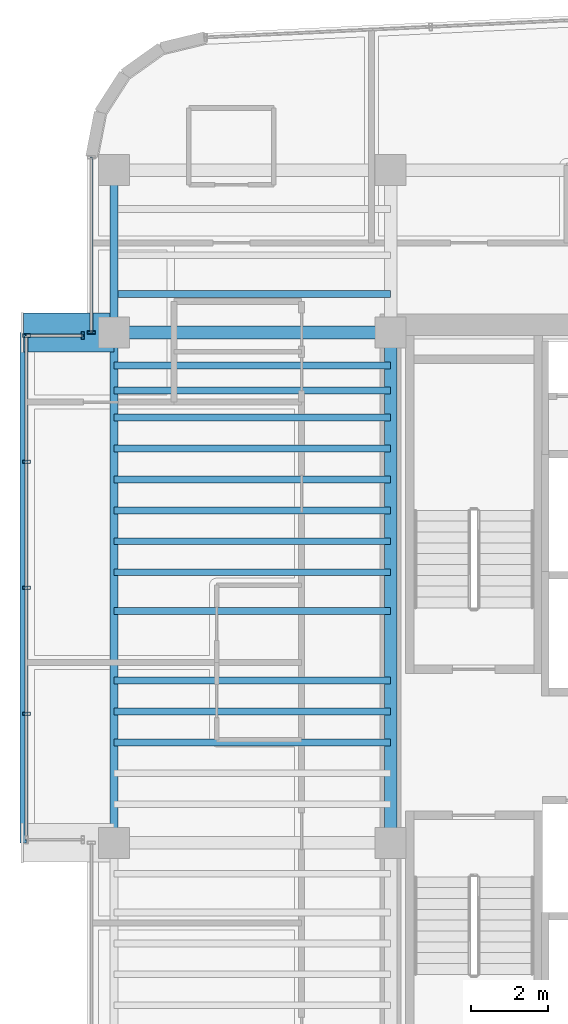
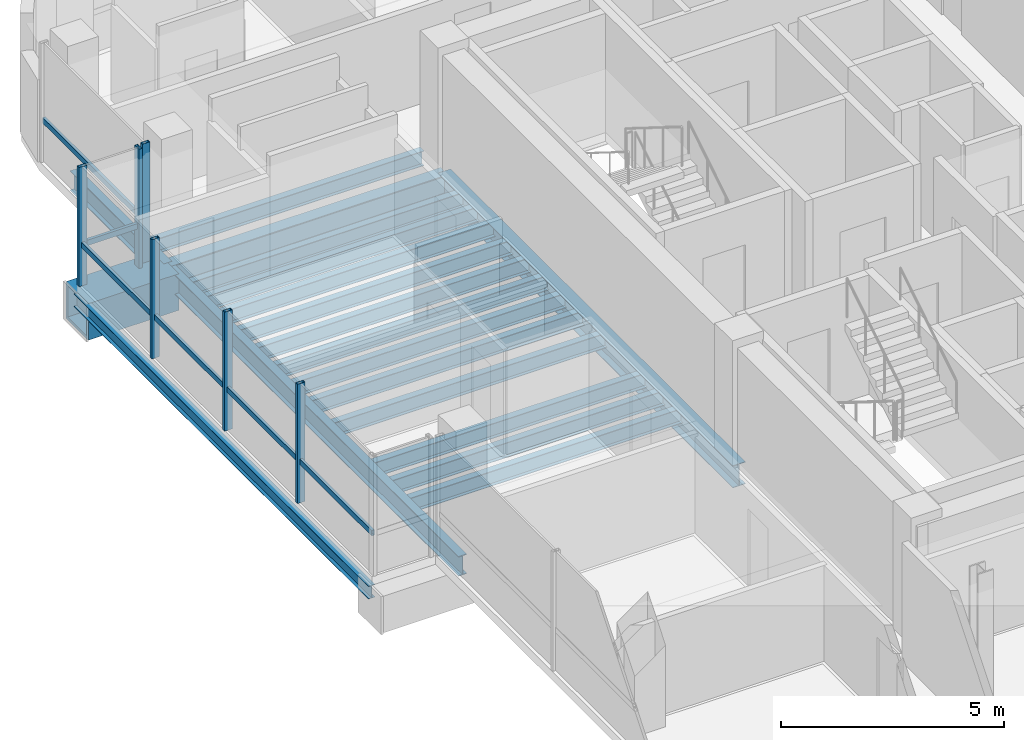
# One storey, part 6 of 20: 19 beams, 9 members, 3 elements without a shape of their own.
"""IFC4 building model written with IfcOpenShell, lengths in metres."""

from ifc_helpers import new_model, si_unit, direction, frame, origin, origin_2d, place, context, subcontext, project, spatial, hollow_rectangle, i_section, extrude, source, transform, mapped, material, material_profile, profile_set, type_object, element, aggregate, save


model = new_model("IFC4")

# Units and contexts
model_context = context("Model", 3, precision=1e-05, world=origin(), true_north=direction((0.0, 1.0)))
body_context = subcontext(model_context, "Body", "Model", "MODEL_VIEW")
ifc_project = project(units=[si_unit("LENGTHUNIT", "METRE"), si_unit("AREAUNIT", "SQUARE_METRE"), si_unit("VOLUMEUNIT", "CUBIC_METRE"), si_unit("PLANEANGLEUNIT", "RADIAN"), si_unit("MASSUNIT", "GRAM", prefix="KILO")], contexts=[model_context])

# Site, building, storey
site_placement = place(None, origin())
site = spatial("IfcSite", under=ifc_project, at=site_placement, CompositionType="ELEMENT")
building_placement = place(site_placement, origin())
building = spatial("IfcBuilding", under=site, at=building_placement, Name="Valdorenza Pilgrim Sanctuary Tower", CompositionType="ELEMENT")
storey_placement = place(building_placement, frame((0.0, 0.0, 280.0)))
storey = spatial("IfcBuildingStorey", under=building, at=storey_placement, Name="L73", CompositionType="ELEMENT", Elevation=280.0)

# Beams
ifc_material_1 = material(Name="Steel ASTM A992 Grade 50", Category="steel")
ifc_material_profile_1 = material_profile(ifc_material_1, i_section(OverallWidth=0.323974609375, OverallDepth=0.611083984375, WebThickness=0.0126953125, FlangeThickness=0.01904296875, at=origin_2d()), Name="W24X104")
ifc_profile_set_1 = profile_set([ifc_material_profile_1], Name="Steel ASTM A992 Grade 50")
beam_type_1 = type_object("IfcBeamType", Name="STR-BM-GRD-W24B", PredefinedType="BEAM", material=ifc_profile_set_1)
shared_shape_1 = source(origin(), body_context, "Body", "SweptSolid", [
    extrude(i_section(OverallWidth=0.323974609375, OverallDepth=0.611083984375, WebThickness=0.0126953125, FlangeThickness=0.01904296875, at=origin_2d()), origin(), (0.0, 0.0, 1.0), 13.2001953125),
])
beam_1_placement = place(storey_placement, frame((-22.64990234375, -2.60009765625, -0.54541015625), z_axis=(0.0, 1.0, 0.0), x_axis=(-1.0, 0.0, 0.0)))
element("IfcBeam", 1, at=beam_1_placement, inside=storey, type_object=beam_type_1, Name="L73 Core Tie Girder CA-W-M0N1", PredefinedType="BEAM", context=body_context, shape_type="MappedRepresentation", body=[
    mapped(shared_shape_1, transform((0.0, 0.0, 0.0), x_axis=(1.0, 0.0, 0.0), y_axis=(0.0, 1.0, 0.0), z_axis=(0.0, 0.0, 1.0), scale=1.0)),
])
ifc_material_profile_2 = material_profile(ifc_material_1, i_section(OverallWidth=0.1708984375, OverallDepth=0.35107421875, WebThickness=0.0068359375, FlangeThickness=0.009765625, at=origin_2d()), Name="W14X30")
ifc_profile_set_2 = profile_set([ifc_material_profile_2], Name="Steel ASTM A992 Grade 50")
beam_type_2 = type_object("IfcBeamType", Name="STR-BM-BOX-W14", PredefinedType="BEAM", material=ifc_profile_set_2)
shared_shape_2 = source(origin(), body_context, "Body", "SweptSolid", [
    extrude(i_section(OverallWidth=0.1708984375, OverallDepth=0.35107421875, WebThickness=0.0068359375, FlangeThickness=0.009765625, at=origin_2d()), origin(), (0.0, 0.0, 1.0), 13.2001953125),
])
beam_2_placement = place(storey_placement, frame((-32.14990234375, -2.60009765625, -0.41552734375), z_axis=(0.0, 1.0, 0.0), x_axis=(-1.0, 0.0, 0.0)))
element("IfcBeam", 2, at=beam_2_placement, inside=storey, type_object=beam_type_2, Name="L73 Glass Box Edge Beam BOX-WA-L73-F", PredefinedType="BEAM", context=body_context, shape_type="MappedRepresentation", body=[
    mapped(shared_shape_2, transform((0.0, 0.0, 0.0), x_axis=(1.0, 0.0, 0.0), y_axis=(0.0, 1.0, 0.0), z_axis=(0.0, 0.0, 1.0), scale=1.0)),
])
ifc_material_profile_3 = material_profile(ifc_material_1, i_section(OverallWidth=0.2109375, OverallDepth=0.5390625, WebThickness=0.01171875, FlangeThickness=0.018798828125, at=origin_2d()), Name="W21X73")
ifc_profile_set_3 = profile_set([ifc_material_profile_3], Name="Steel ASTM A992 Grade 50")
beam_type_3 = type_object("IfcBeamType", Name="STR-BM-SPN-W21B", PredefinedType="SPANDREL", material=ifc_profile_set_3)
shared_shape_3 = source(origin(), body_context, "Body", "SweptSolid", [
    extrude(i_section(OverallWidth=0.2109375, OverallDepth=0.5390625, WebThickness=0.01171875, FlangeThickness=0.018798828125, at=origin_2d()), origin(), (0.0, 0.0, 1.0), 13.2001953125),
])
beam_3_placement = place(storey_placement, frame((-29.800048828125, -2.60009765625, -0.509521484375), z_axis=(0.0, 1.0, 0.0), x_axis=(-1.0, 0.0, 0.0)))
element("IfcBeam", 3, at=beam_3_placement, inside=storey, type_object=beam_type_3, Name="L73 Spandrel Beam WA-W-M0N1", PredefinedType="SPANDREL", context=body_context, shape_type="MappedRepresentation", body=[
    mapped(shared_shape_3, transform((0.0, 0.0, 0.0), x_axis=(1.0, 0.0, 0.0), y_axis=(0.0, 1.0, 0.0), z_axis=(0.0, 0.0, 1.0), scale=1.0)),
])
shared_shape_4 = source(origin(), body_context, "Body", "SweptSolid", [
    extrude(i_section(OverallWidth=0.2109375, OverallDepth=0.5390625, WebThickness=0.01171875, FlangeThickness=0.018798828125, at=origin_2d()), origin(), (0.0, 0.0, 1.0), 4.199951171875),
])
beam_4_placement = place(storey_placement, frame((-29.800048828125, 10.60009765625, -0.509521484375), z_axis=(0.0, 1.0, 0.0), x_axis=(-1.0, 0.0, 0.0)))
element("IfcBeam", 4, at=beam_4_placement, inside=storey, type_object=beam_type_3, Name="L73 Spandrel Beam WA-W-N1N2", PredefinedType="SPANDREL", context=body_context, shape_type="MappedRepresentation", body=[
    mapped(shared_shape_4, transform((0.0, 0.0, 0.0), x_axis=(1.0, 0.0, 0.0), y_axis=(0.0, 1.0, 0.0), z_axis=(0.0, 0.0, 1.0), scale=1.0)),
])
ifc_material_profile_4 = material_profile(ifc_material_1, i_section(OverallWidth=0.177978515625, OverallDepth=0.406005859375, WebThickness=0.0078125, FlangeThickness=0.0126953125, at=origin_2d()), Name="W16X40")
ifc_profile_set_4 = profile_set([ifc_material_profile_4], Name="Steel ASTM A992 Grade 50")
beam_type_4 = type_object("IfcBeamType", Name="STR-BM-JST-W16", PredefinedType="JOIST", material=ifc_profile_set_4)
shared_shape_5 = source(origin(), body_context, "Body", "SweptSolid", [
    extrude(i_section(OverallWidth=0.177978515625, OverallDepth=0.406005859375, WebThickness=0.0078125, FlangeThickness=0.0126953125, at=origin_2d()), origin(), (0.0, 0.0, 1.0), 7.150146484375),
])
for number, where, z_axis, x_axis, name in (
    (5, (-29.800048828125, 0.0, -0.443115234375), (1.0, 0.0, 0.0), (0.0, 1.0, 0.0), "L73 Composite Floor Joist JST-WA-12"),
    (6, (-29.800048828125, 0.800048828125, -0.443115234375), (1.0, 0.0, 0.0), (0.0, 1.0, 0.0), "L73 Composite Floor Joist JST-WA-13"),
    (7, (-29.800048828125, 1.60009765625, -0.443115234375), (1.0, 0.0, 0.0), (0.0, 1.0, 0.0), "L73 Composite Floor Joist JST-WA-14"),
    (8, (-29.800048828125, 3.39990234375, -0.443115234375), (1.0, 0.0, 0.0), (0.0, 1.0, 0.0), "L73 Composite Floor Joist JST-WA-15"),
    (9, (-29.800048828125, 4.39990234375, -0.443115234375), (1.0, 0.0, 0.0), (0.0, 1.0, 0.0), "L73 Composite Floor Joist JST-WA-16"),
    (10, (-29.800048828125, 5.199951171875, -0.443115234375), (1.0, 0.0, 0.0), (0.0, 1.0, 0.0), "L73 Composite Floor Joist JST-WA-17"),
    (11, (-29.800048828125, 6.0, -0.443115234375), (1.0, 0.0, 0.0), (0.0, 1.0, 0.0), "L73 Composite Floor Joist JST-WA-18"),
    (12, (-29.800048828125, 6.800048828125, -0.443115234375), (1.0, 0.0, 0.0), (0.0, 1.0, 0.0), "L73 Composite Floor Joist JST-WA-19"),
    (13, (-29.800048828125, 7.60009765625, -0.443115234375), (1.0, 0.0, 0.0), (0.0, 1.0, 0.0), "L73 Composite Floor Joist JST-WA-20"),
    (14, (-29.800048828125, 8.39990234375, -0.443115234375), (1.0, 0.0, 0.0), (0.0, 1.0, 0.0), "L73 Composite Floor Joist JST-WA-21"),
    (15, (-29.800048828125, 9.10009765625, -0.443115234375), (1.0, 0.0, 0.0), (0.0, 1.0, 0.0), "L73 Composite Floor Joist JST-WA-22"),
    (16, (-29.800048828125, 9.75, -0.443115234375), (1.0, 0.0, 0.0), (0.0, 1.0, 0.0), "L73 Composite Floor Joist JST-WA-23"),
    (17, (-29.800048828125, 11.60009765625, -0.443115234375), (1.0, 0.0, 0.0), (0.0, 1.0, 0.0), "L73 Composite Floor Joist JST-WA-24"),
):
    element("IfcBeam", number, at=place(storey_placement, frame(where, z_axis=z_axis, x_axis=x_axis)), inside=storey, type_object=beam_type_4, Name=name, PredefinedType="JOIST", context=body_context, shape_type="MappedRepresentation", body=[
        mapped(shared_shape_5, transform((0.0, 0.0, 0.0), x_axis=(1.0, 0.0, 0.0), y_axis=(0.0, 1.0, 0.0), z_axis=(0.0, 0.0, 1.0), scale=1.0)),
    ])
ifc_material_2 = material(Name="Steel ASTM A572 Grade 42", Category="steel")
ifc_material_profile_5 = material_profile(ifc_material_2, hollow_rectangle(XDim=1.0, YDim=1.0, WallThickness=0.080078125, at=origin_2d()), Name="BOX 1000x1000x80")
ifc_profile_set_5 = profile_set([ifc_material_profile_5], Name="Steel ASTM A572 Grade 42")
beam_type_5 = type_object("IfcBeamType", Name="STR-BM-PROW-CANT", PredefinedType="BEAM", material=ifc_profile_set_5)
shared_shape_6 = source(origin(), body_context, "Body", "SweptSolid", [
    extrude(hollow_rectangle(XDim=1.0, YDim=1.0, WallThickness=0.080078125, at=origin_2d()), origin(), (0.0, 0.0, 1.0), 2.349853515625),
])
beam_5_placement = place(storey_placement, frame((-29.800048828125, 10.60009765625, -0.739990234375), z_axis=(-1.0, 0.0, 0.0), x_axis=(0.0, -1.0, 0.0)))
element("IfcBeam", 18, at=beam_5_placement, inside=storey, type_object=beam_type_5, Name="L73 Glass Box Cantilever Beam BOX-WA-L73-CT-N", PredefinedType="BEAM", context=body_context, shape_type="MappedRepresentation", body=[
    mapped(shared_shape_6, transform((0.0, 0.0, 0.0), x_axis=(1.0, 0.0, 0.0), y_axis=(0.0, 1.0, 0.0), z_axis=(0.0, 0.0, 1.0), scale=1.0)),
])
ifc_material_profile_6 = material_profile(ifc_material_1, i_section(OverallWidth=0.326904296875, OverallDepth=0.6220703125, WebThickness=0.015380859375, FlangeThickness=0.0244140625, at=origin_2d()), Name="W24X131")
ifc_profile_set_6 = profile_set([ifc_material_profile_6], Name="Steel ASTM A992 Grade 50")
beam_type_6 = type_object("IfcBeamType", Name="STR-BM-GRD-W24A", PredefinedType="BEAM", material=ifc_profile_set_6)
shared_shape_7 = source(origin(), body_context, "Body", "SweptSolid", [
    extrude(i_section(OverallWidth=0.326904296875, OverallDepth=0.6220703125, WebThickness=0.015380859375, FlangeThickness=0.0244140625, at=origin_2d()), origin(), (0.0, 0.0, 1.0), 7.150146484375),
])
beam_6_placement = place(storey_placement, frame((-29.800048828125, 10.60009765625, -0.551025390625), z_axis=(1.0, 0.0, 0.0), x_axis=(0.0, 1.0, 0.0)))
element("IfcBeam", 19, at=beam_6_placement, inside=storey, type_object=beam_type_6, Name="L73 Floor Girder WA-XW-N1", PredefinedType="BEAM", context=body_context, shape_type="MappedRepresentation", body=[
    mapped(shared_shape_7, transform((0.0, 0.0, 0.0), x_axis=(1.0, 0.0, 0.0), y_axis=(0.0, 1.0, 0.0), z_axis=(0.0, 0.0, 1.0), scale=1.0)),
])

# Curtain wall, member
ifc_material_3 = material(Name="Curtain-wall IGU glazing", Category="glass")
curtain_wall_type = type_object("IfcCurtainWallType", Name="CW-SYS-02", PredefinedType="NOTDEFINED", material=ifc_material_3)
curtain_wall_1_placement = place(storey_placement, origin())
curtain_wall_1 = element("IfcCurtainWall", 20, at=curtain_wall_1_placement, inside=storey, type_object=curtain_wall_type, Name="L73 Curtain Wall CW-L73-BOX-WA-L73-N", PredefinedType="NOTDEFINED")
ifc_material_4 = material(Name="Anodised aluminium AW-6060", Category="aluminium")
ifc_material_profile_7 = material_profile(ifc_material_4, hollow_rectangle(XDim=0.074951171875, YDim=0.14990234375, WallThickness=0.00390625, at=origin_2d()), Name="ALU-T 150x75x4")
ifc_profile_set_7 = profile_set([ifc_material_profile_7], Name="Anodised aluminium AW-6060")
member_type_1 = type_object("IfcMemberType", Name="CW-TRN-02", PredefinedType="USERDEFINED", material=ifc_profile_set_7)
shared_shape_8 = source(origin(), body_context, "Body", "SweptSolid", [
    extrude(hollow_rectangle(XDim=0.074951171875, YDim=0.14990234375, WallThickness=0.00390625, at=origin_2d()), origin(), (0.0, 0.0, 1.0), 1.4599609375),
])
member_1_placement = place(storey_placement, frame((-32.070068359375, 10.52001953125, 1.1201171875), z_axis=(1.0, 0.0, 0.0), x_axis=(0.0, 1.0, 0.0)))
member_1 = element("IfcMember", 21, at=member_1_placement, type_object=member_type_1, Name="CW-L73-BOX-WA-L73-N Transom 1", ObjectType="TRANSOM", PredefinedType="USERDEFINED", context=body_context, shape_type="MappedRepresentation", body=[
    mapped(shared_shape_8, transform((0.0, 0.0, 0.0), x_axis=(1.0, 0.0, 0.0), y_axis=(0.0, 1.0, 0.0), z_axis=(0.0, 0.0, 1.0), scale=1.0)),
])

curtain_wall_2_placement = place(storey_placement, origin())
curtain_wall_2 = element("IfcCurtainWall", 22, at=curtain_wall_2_placement, inside=storey, type_object=curtain_wall_type, Name="L73 Curtain Wall CW-L73-BOX-WA-L73-F", PredefinedType="NOTDEFINED")
shared_shape_9 = source(origin(), body_context, "Body", "SweptSolid", [
    extrude(hollow_rectangle(XDim=0.074951171875, YDim=0.14990234375, WallThickness=0.00390625, at=origin_2d()), origin(), (0.0, 0.0, 1.0), 13.0400390625),
])
member_2_placement = place(storey_placement, frame((-32.070068359375, -2.52001953125, 1.1201171875), z_axis=(0.0, 1.0, 0.0), x_axis=(-1.0, 0.0, 0.0)))
member_2 = element("IfcMember", 23, at=member_2_placement, type_object=member_type_1, Name="CW-L73-BOX-WA-L73-F Transom 1", ObjectType="TRANSOM", PredefinedType="USERDEFINED", context=body_context, shape_type="MappedRepresentation", body=[
    mapped(shared_shape_9, transform((0.0, 0.0, 0.0), x_axis=(1.0, 0.0, 0.0), y_axis=(0.0, 1.0, 0.0), z_axis=(0.0, 0.0, 1.0), scale=1.0)),
])

curtain_wall_3_placement = place(storey_placement, origin())
curtain_wall_3 = element("IfcCurtainWall", 24, at=curtain_wall_3_placement, inside=storey, type_object=curtain_wall_type, Name="L73 Curtain Wall CW-L73-1-1S2", PredefinedType="NOTDEFINED")
ifc_material_profile_8 = material_profile(ifc_material_4, hollow_rectangle(XDim=0.0849609375, YDim=0.199951171875, WallThickness=0.0048828125, at=origin_2d()), Name="ALU-M 200x85x5")
ifc_profile_set_8 = profile_set([ifc_material_profile_8], Name="Anodised aluminium AW-6060")
member_type_2 = type_object("IfcMemberType", Name="CW-MUL-02", PredefinedType="MULLION", material=ifc_profile_set_8)
shared_shape_10 = source(origin(), body_context, "Body", "SweptSolid", [
    extrude(hollow_rectangle(XDim=0.0849609375, YDim=0.199951171875, WallThickness=0.0048828125, at=origin_2d()), origin(), (0.0, 0.0, 1.0), 3.260009765625),
])
member_3_placement = place(storey_placement, frame((-30.389892578125, 10.60009765625, 0.0), z_axis=(0.0, 0.0, 1.0), x_axis=(0.0, 1.0, 0.0)))
member_3 = element("IfcMember", 25, at=member_3_placement, type_object=member_type_2, Name="CW-L73-1-1S2 Mullion 1", PredefinedType="MULLION", context=body_context, shape_type="MappedRepresentation", body=[
    mapped(shared_shape_10, transform((0.0, 0.0, 0.0), x_axis=(1.0, 0.0, 0.0), y_axis=(0.0, 1.0, 0.0), z_axis=(0.0, 0.0, 1.0), scale=1.0)),
])

# Member
member_4_placement = place(storey_placement, frame((-32.070068359375, 0.739990234375, 0.0), z_axis=(0.0, 0.0, 1.0), x_axis=(0.0, 1.0, 0.0)))
member_4 = element("IfcMember", 26, at=member_4_placement, type_object=member_type_2, Name="CW-L73-BOX-WA-L73-F Mullion 2", PredefinedType="MULLION", context=body_context, shape_type="MappedRepresentation", body=[
    mapped(shared_shape_10, transform((0.0, 0.0, 0.0), x_axis=(1.0, 0.0, 0.0), y_axis=(0.0, 1.0, 0.0), z_axis=(0.0, 0.0, 1.0), scale=1.0)),
])

member_5_placement = place(storey_placement, frame((-32.070068359375, 4.0, 0.0), z_axis=(0.0, 0.0, 1.0), x_axis=(0.0, 1.0, 0.0)))
member_5 = element("IfcMember", 27, at=member_5_placement, type_object=member_type_2, Name="CW-L73-BOX-WA-L73-F Mullion 3", PredefinedType="MULLION", context=body_context, shape_type="MappedRepresentation", body=[
    mapped(shared_shape_10, transform((0.0, 0.0, 0.0), x_axis=(1.0, 0.0, 0.0), y_axis=(0.0, 1.0, 0.0), z_axis=(0.0, 0.0, 1.0), scale=1.0)),
])

member_6_placement = place(storey_placement, frame((-32.070068359375, 7.260009765625, 0.0), z_axis=(0.0, 0.0, 1.0), x_axis=(0.0, 1.0, 0.0)))
member_6 = element("IfcMember", 28, at=member_6_placement, type_object=member_type_2, Name="CW-L73-BOX-WA-L73-F Mullion 4", PredefinedType="MULLION", context=body_context, shape_type="MappedRepresentation", body=[
    mapped(shared_shape_10, transform((0.0, 0.0, 0.0), x_axis=(1.0, 0.0, 0.0), y_axis=(0.0, 1.0, 0.0), z_axis=(0.0, 0.0, 1.0), scale=1.0)),
])

member_7_placement = place(storey_placement, frame((-32.070068359375, 10.52001953125, 0.0), z_axis=(0.0, 0.0, 1.0), x_axis=(0.0, 1.0, 0.0)))
member_7 = element("IfcMember", 29, at=member_7_placement, type_object=member_type_2, Name="CW-L73-BOX-WA-L73-F Mullion 5", PredefinedType="MULLION", context=body_context, shape_type="MappedRepresentation", body=[
    mapped(shared_shape_10, transform((0.0, 0.0, 0.0), x_axis=(1.0, 0.0, 0.0), y_axis=(0.0, 1.0, 0.0), z_axis=(0.0, 0.0, 1.0), scale=1.0)),
])

aggregate(curtain_wall_2, [member_4, member_5, member_6, member_7, member_2])

member_8_placement = place(storey_placement, frame((-30.610107421875, 10.52001953125, 0.0), z_axis=(0.0, 0.0, 1.0), x_axis=(1.0, 0.0, 0.0)))
member_8 = element("IfcMember", 30, at=member_8_placement, type_object=member_type_2, Name="CW-L73-BOX-WA-L73-N Mullion 2", PredefinedType="MULLION", context=body_context, shape_type="MappedRepresentation", body=[
    mapped(shared_shape_10, transform((0.0, 0.0, 0.0), x_axis=(1.0, 0.0, 0.0), y_axis=(0.0, 1.0, 0.0), z_axis=(0.0, 0.0, 1.0), scale=1.0)),
])

aggregate(curtain_wall_1, [member_8, member_1])

shared_shape_11 = source(origin(), body_context, "Body", "SweptSolid", [
    extrude(hollow_rectangle(XDim=0.074951171875, YDim=0.14990234375, WallThickness=0.00390625, at=origin_2d()), origin(), (0.0, 0.0, 1.0), 4.53662109375),
])
member_9_placement = place(storey_placement, frame((-30.389892578125, 10.60009765625, 1.1201171875), z_axis=(0.0, 1.0, 0.0), x_axis=(-1.0, 0.0, 0.0)))
member_9 = element("IfcMember", 31, at=member_9_placement, type_object=member_type_1, Name="CW-L73-1-1S2 Transom 1", ObjectType="TRANSOM", PredefinedType="USERDEFINED", context=body_context, shape_type="MappedRepresentation", body=[
    mapped(shared_shape_11, transform((0.0, 0.0, 0.0), x_axis=(1.0, 0.0, 0.0), y_axis=(0.0, 1.0, 0.0), z_axis=(0.0, 0.0, 1.0), scale=1.0)),
])

aggregate(curtain_wall_3, [member_3, member_9])

save(model, "model.ifc")
